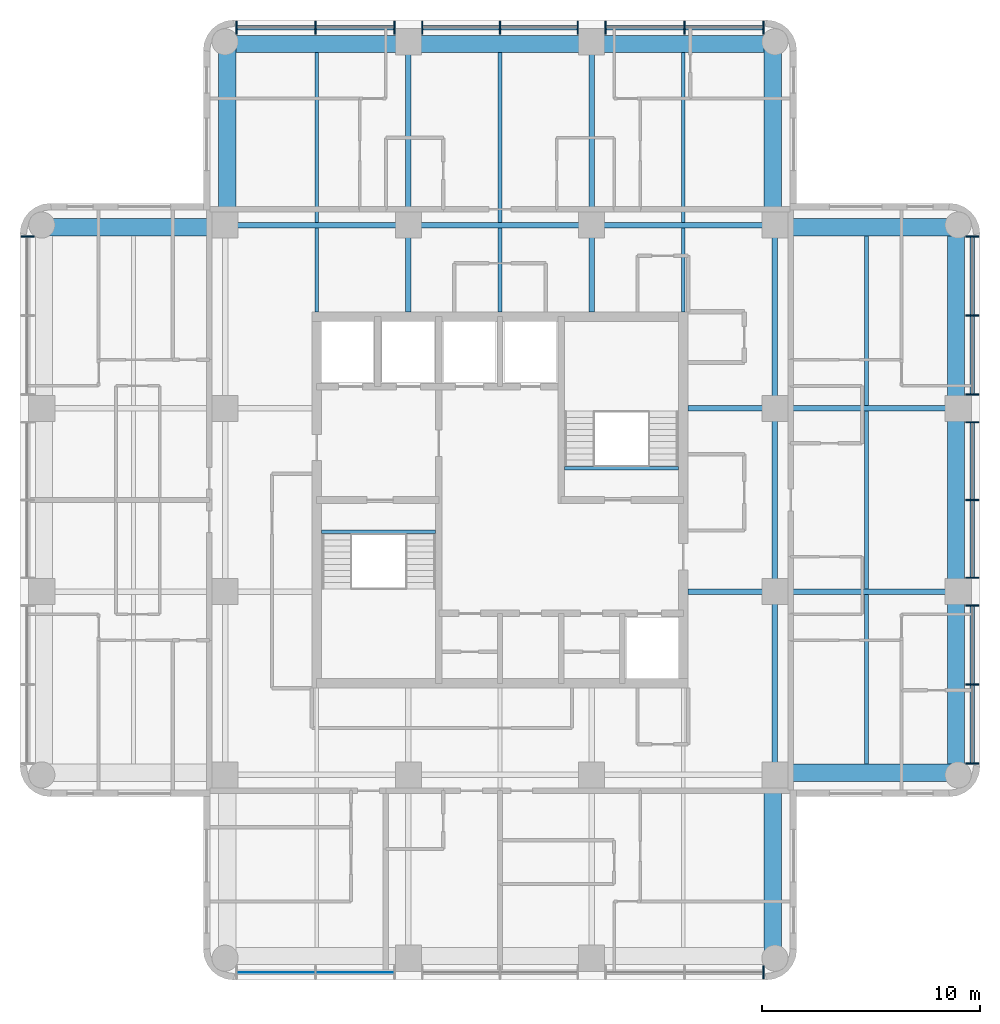
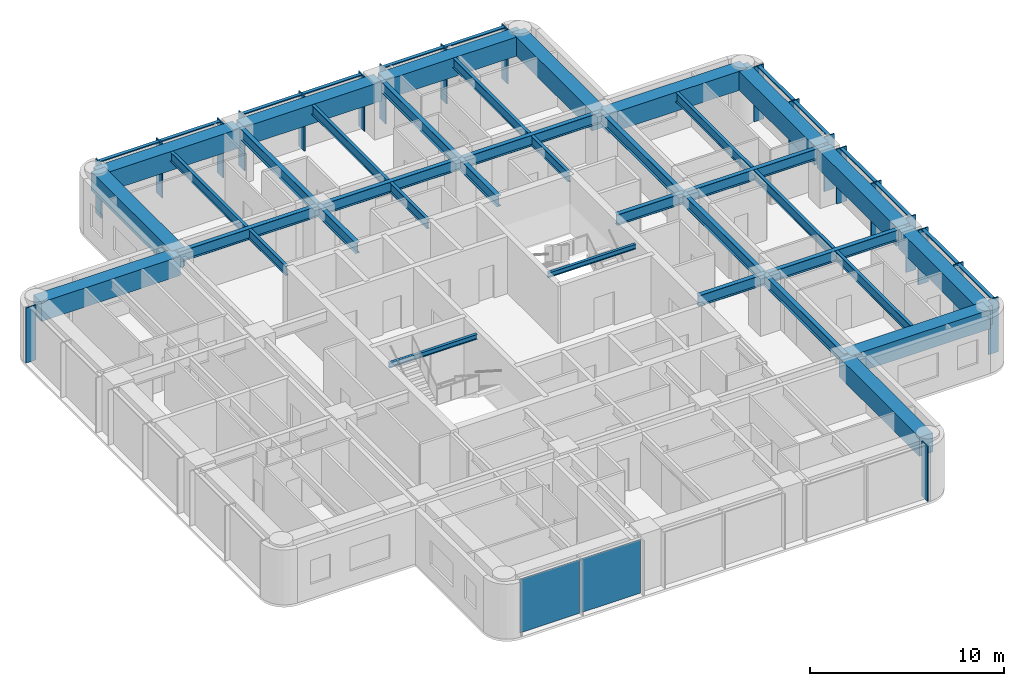
# One storey, part 2 of 10: 37 beams, 32 members, 2 plates, 4 elements without a shape of their own.
"""IFC4 building model written with IfcOpenShell, lengths in metres."""

from ifc_helpers import new_model, si_unit, direction, frame, origin, origin_2d, place, context, subcontext, project, spatial, rectangle, i_section, extrude, material, layer, layer_set, material_profile, profile_set, type_object, element, aggregate, save


model = new_model("IFC4")

# Units and contexts
model_context = context("Model", 3, precision=1e-05, world=origin(), true_north=direction((0.0, 1.0)))
body_context = subcontext(model_context, "Body", "Model", "MODEL_VIEW")
ifc_project = project(units=[si_unit("LENGTHUNIT", "METRE"), si_unit("AREAUNIT", "SQUARE_METRE"), si_unit("VOLUMEUNIT", "CUBIC_METRE"), si_unit("PLANEANGLEUNIT", "RADIAN"), si_unit("MASSUNIT", "GRAM", prefix="KILO")], contexts=[model_context])

# Site, building, storey
site_placement = place(None, origin())
site = spatial("IfcSite", under=ifc_project, at=site_placement, CompositionType="ELEMENT")
building_placement = place(site_placement, origin())
building = spatial("IfcBuilding", under=site, at=building_placement, Name="Torre Alcanfor", CompositionType="ELEMENT")
storey_placement = place(building_placement, frame((0.0, 0.0, 261.300048828125)))
storey = spatial("IfcBuildingStorey", under=building, at=storey_placement, Name="L68", CompositionType="ELEMENT", Elevation=261.300048828125)

# Curtain wall, member
ifc_material_1 = material(Name="Aluminium and glass", Category="aluminium")
curtain_wall_type = type_object("IfcCurtainWallType", Name="CW-A unitised apartment glazing with vertical FIN", PredefinedType="NOTDEFINED", material=ifc_material_1)
curtain_wall_1_placement = place(storey_placement, origin())
curtain_wall_1 = element("IfcCurtainWall", 1, at=curtain_wall_1_placement, inside=storey, type_object=curtain_wall_type, Name="Curtain wall CW-A L68 2", PredefinedType="NOTDEFINED")
ifc_material_2 = material(Name="Bronze anodised aluminium", Category="aluminium")
ifc_material_profile_1 = material_profile(ifc_material_2, rectangle(XDim=0.60009765625, YDim=0.06494140625, at=origin_2d()), Name="CW-A mullion 65x600")
ifc_profile_set_1 = profile_set([ifc_material_profile_1], Name="Bronze anodised aluminium")
member_type_1 = type_object("IfcMemberType", Name="CW-A mullion with vertical FIN 65x600", PredefinedType="MULLION", material=ifc_profile_set_1)
member_1_placement = place(storey_placement, frame((7.75, 41.47412109375, 0.0), z_axis=(0.0, 0.0, 1.0), x_axis=(1.0, 0.0, 0.0)))
member_1 = element("IfcMember", 2, at=member_1_placement, type_object=member_type_1, Name="CW-A mullion 1.1", PredefinedType="MULLION", context=body_context, shape_type="SweptSolid", body=[
    extrude(rectangle(XDim=0.60009765625, YDim=0.06494140625, at=origin_2d()), origin(), (0.0, 0.0, 1.0), 3.449951171875),
])
aggregate(curtain_wall_1, [member_1])

curtain_wall_2_placement = place(storey_placement, origin())
curtain_wall_2 = element("IfcCurtainWall", 3, at=curtain_wall_2_placement, inside=storey, type_object=curtain_wall_type, Name="Curtain wall CW-A L68 5", PredefinedType="NOTDEFINED")
member_2_placement = place(storey_placement, frame((41.47412109375, 7.75, 0.0), z_axis=(0.0, 0.0, 1.0), x_axis=(0.0, 1.0, 0.0)))
member_2 = element("IfcMember", 4, at=member_2_placement, type_object=member_type_1, Name="CW-A mullion 3.3", PredefinedType="MULLION", context=body_context, shape_type="SweptSolid", body=[
    extrude(rectangle(XDim=0.60009765625, YDim=0.06494140625, at=origin_2d()), origin(), (0.0, 0.0, 1.0), 3.449951171875),
])

# Curtain wall, members
curtain_wall_3_placement = place(storey_placement, origin())
curtain_wall_3 = element("IfcCurtainWall", 5, at=curtain_wall_3_placement, inside=storey, type_object=curtain_wall_type, Name="Curtain wall CW-A L68 8", PredefinedType="NOTDEFINED")
member_3_placement = place(storey_placement, frame((51.050048828125, 17.325927734375, 0.0), z_axis=(0.0, 0.0, 1.0), x_axis=(-1.0, 0.0, 0.0)))
member_3 = element("IfcMember", 6, at=member_3_placement, type_object=member_type_1, Name="CW-A mullion 1.1", PredefinedType="MULLION", context=body_context, shape_type="SweptSolid", body=[
    extrude(rectangle(XDim=0.60009765625, YDim=0.06494140625, at=origin_2d()), origin(), (0.0, 0.0, 1.0), 3.449951171875),
])
member_4_placement = place(storey_placement, frame((51.050048828125, 20.9443359375, 0.0), z_axis=(0.0, 0.0, 1.0), x_axis=(-1.0, 0.0, 0.0)))
member_4 = element("IfcMember", 7, at=member_4_placement, type_object=member_type_1, Name="CW-A mullion 1.2", PredefinedType="MULLION", context=body_context, shape_type="SweptSolid", body=[
    extrude(rectangle(XDim=0.60009765625, YDim=0.06494140625, at=origin_2d()), origin(), (0.0, 0.0, 1.0), 3.449951171875),
])
member_5_placement = place(storey_placement, frame((51.050048828125, 24.5625, 0.0), z_axis=(0.0, 0.0, 1.0), x_axis=(-1.0, 0.0, 0.0)))
member_5 = element("IfcMember", 8, at=member_5_placement, type_object=member_type_1, Name="CW-A mullion 1.3", PredefinedType="MULLION", context=body_context, shape_type="SweptSolid", body=[
    extrude(rectangle(XDim=0.60009765625, YDim=0.06494140625, at=origin_2d()), origin(), (0.0, 0.0, 1.0), 3.449951171875),
])
member_6_placement = place(storey_placement, frame((51.050048828125, 25.83740234375, 0.0), z_axis=(0.0, 0.0, 1.0), x_axis=(-1.0, 0.0, 0.0)))
member_6 = element("IfcMember", 9, at=member_6_placement, type_object=member_type_1, Name="CW-A mullion 2.1", PredefinedType="MULLION", context=body_context, shape_type="SweptSolid", body=[
    extrude(rectangle(XDim=0.60009765625, YDim=0.06494140625, at=origin_2d()), origin(), (0.0, 0.0, 1.0), 3.449951171875),
])
member_7_placement = place(storey_placement, frame((51.050048828125, 29.39990234375, 0.0), z_axis=(0.0, 0.0, 1.0), x_axis=(-1.0, 0.0, 0.0)))
member_7 = element("IfcMember", 10, at=member_7_placement, type_object=member_type_1, Name="CW-A mullion 2.2", PredefinedType="MULLION", context=body_context, shape_type="SweptSolid", body=[
    extrude(rectangle(XDim=0.60009765625, YDim=0.06494140625, at=origin_2d()), origin(), (0.0, 0.0, 1.0), 3.449951171875),
])
member_8_placement = place(storey_placement, frame((51.050048828125, 32.96240234375, 0.0), z_axis=(0.0, 0.0, 1.0), x_axis=(-1.0, 0.0, 0.0)))
member_8 = element("IfcMember", 11, at=member_8_placement, type_object=member_type_1, Name="CW-A mullion 2.3", PredefinedType="MULLION", context=body_context, shape_type="SweptSolid", body=[
    extrude(rectangle(XDim=0.60009765625, YDim=0.06494140625, at=origin_2d()), origin(), (0.0, 0.0, 1.0), 3.449951171875),
])
member_9_placement = place(storey_placement, frame((51.050048828125, 34.237548828125, 0.0), z_axis=(0.0, 0.0, 1.0), x_axis=(-1.0, 0.0, 0.0)))
member_9 = element("IfcMember", 12, at=member_9_placement, type_object=member_type_1, Name="CW-A mullion 3.1", PredefinedType="MULLION", context=body_context, shape_type="SweptSolid", body=[
    extrude(rectangle(XDim=0.60009765625, YDim=0.06494140625, at=origin_2d()), origin(), (0.0, 0.0, 1.0), 3.449951171875),
])
member_10_placement = place(storey_placement, frame((51.050048828125, 37.855712890625, 0.0), z_axis=(0.0, 0.0, 1.0), x_axis=(-1.0, 0.0, 0.0)))
member_10 = element("IfcMember", 13, at=member_10_placement, type_object=member_type_1, Name="CW-A mullion 3.2", PredefinedType="MULLION", context=body_context, shape_type="SweptSolid", body=[
    extrude(rectangle(XDim=0.60009765625, YDim=0.06494140625, at=origin_2d()), origin(), (0.0, 0.0, 1.0), 3.449951171875),
])
member_11_placement = place(storey_placement, frame((51.050048828125, 41.47412109375, 0.0), z_axis=(0.0, 0.0, 1.0), x_axis=(-1.0, 0.0, 0.0)))
member_11 = element("IfcMember", 14, at=member_11_placement, type_object=member_type_1, Name="CW-A mullion 3.3", PredefinedType="MULLION", context=body_context, shape_type="SweptSolid", body=[
    extrude(rectangle(XDim=0.60009765625, YDim=0.06494140625, at=origin_2d()), origin(), (0.0, 0.0, 1.0), 3.449951171875),
])

curtain_wall_4_placement = place(storey_placement, origin())
curtain_wall_4 = element("IfcCurtainWall", 15, at=curtain_wall_4_placement, inside=storey, type_object=curtain_wall_type, Name="Curtain wall CW-A L68 11", PredefinedType="NOTDEFINED")
member_12_placement = place(storey_placement, frame((41.47412109375, 51.050048828125, 0.0), z_axis=(0.0, 0.0, 1.0), x_axis=(0.0, -1.0, 0.0)))
member_12 = element("IfcMember", 16, at=member_12_placement, type_object=member_type_1, Name="CW-A mullion 1.1", PredefinedType="MULLION", context=body_context, shape_type="SweptSolid", body=[
    extrude(rectangle(XDim=0.60009765625, YDim=0.06494140625, at=origin_2d()), origin(), (0.0, 0.0, 1.0), 3.449951171875),
])
member_13_placement = place(storey_placement, frame((37.855712890625, 51.050048828125, 0.0), z_axis=(0.0, 0.0, 1.0), x_axis=(0.0, -1.0, 0.0)))
member_13 = element("IfcMember", 17, at=member_13_placement, type_object=member_type_1, Name="CW-A mullion 1.2", PredefinedType="MULLION", context=body_context, shape_type="SweptSolid", body=[
    extrude(rectangle(XDim=0.60009765625, YDim=0.06494140625, at=origin_2d()), origin(), (0.0, 0.0, 1.0), 3.449951171875),
])
member_14_placement = place(storey_placement, frame((34.237548828125, 51.050048828125, 0.0), z_axis=(0.0, 0.0, 1.0), x_axis=(0.0, -1.0, 0.0)))
member_14 = element("IfcMember", 18, at=member_14_placement, type_object=member_type_1, Name="CW-A mullion 1.3", PredefinedType="MULLION", context=body_context, shape_type="SweptSolid", body=[
    extrude(rectangle(XDim=0.60009765625, YDim=0.06494140625, at=origin_2d()), origin(), (0.0, 0.0, 1.0), 3.449951171875),
])
member_15_placement = place(storey_placement, frame((32.96240234375, 51.050048828125, 0.0), z_axis=(0.0, 0.0, 1.0), x_axis=(0.0, -1.0, 0.0)))
member_15 = element("IfcMember", 19, at=member_15_placement, type_object=member_type_1, Name="CW-A mullion 2.1", PredefinedType="MULLION", context=body_context, shape_type="SweptSolid", body=[
    extrude(rectangle(XDim=0.60009765625, YDim=0.06494140625, at=origin_2d()), origin(), (0.0, 0.0, 1.0), 3.449951171875),
])
member_16_placement = place(storey_placement, frame((29.39990234375, 51.050048828125, 0.0), z_axis=(0.0, 0.0, 1.0), x_axis=(0.0, -1.0, 0.0)))
member_16 = element("IfcMember", 20, at=member_16_placement, type_object=member_type_1, Name="CW-A mullion 2.2", PredefinedType="MULLION", context=body_context, shape_type="SweptSolid", body=[
    extrude(rectangle(XDim=0.60009765625, YDim=0.06494140625, at=origin_2d()), origin(), (0.0, 0.0, 1.0), 3.449951171875),
])
member_17_placement = place(storey_placement, frame((25.83740234375, 51.050048828125, 0.0), z_axis=(0.0, 0.0, 1.0), x_axis=(0.0, -1.0, 0.0)))
member_17 = element("IfcMember", 21, at=member_17_placement, type_object=member_type_1, Name="CW-A mullion 2.3", PredefinedType="MULLION", context=body_context, shape_type="SweptSolid", body=[
    extrude(rectangle(XDim=0.60009765625, YDim=0.06494140625, at=origin_2d()), origin(), (0.0, 0.0, 1.0), 3.449951171875),
])
member_18_placement = place(storey_placement, frame((24.5625, 51.050048828125, 0.0), z_axis=(0.0, 0.0, 1.0), x_axis=(0.0, -1.0, 0.0)))
member_18 = element("IfcMember", 22, at=member_18_placement, type_object=member_type_1, Name="CW-A mullion 3.1", PredefinedType="MULLION", context=body_context, shape_type="SweptSolid", body=[
    extrude(rectangle(XDim=0.60009765625, YDim=0.06494140625, at=origin_2d()), origin(), (0.0, 0.0, 1.0), 3.449951171875),
])
member_19_placement = place(storey_placement, frame((20.9443359375, 51.050048828125, 0.0), z_axis=(0.0, 0.0, 1.0), x_axis=(0.0, -1.0, 0.0)))
member_19 = element("IfcMember", 23, at=member_19_placement, type_object=member_type_1, Name="CW-A mullion 3.2", PredefinedType="MULLION", context=body_context, shape_type="SweptSolid", body=[
    extrude(rectangle(XDim=0.60009765625, YDim=0.06494140625, at=origin_2d()), origin(), (0.0, 0.0, 1.0), 3.449951171875),
])
member_20_placement = place(storey_placement, frame((17.325927734375, 51.050048828125, 0.0), z_axis=(0.0, 0.0, 1.0), x_axis=(0.0, -1.0, 0.0)))
member_20 = element("IfcMember", 24, at=member_20_placement, type_object=member_type_1, Name="CW-A mullion 3.3", PredefinedType="MULLION", context=body_context, shape_type="SweptSolid", body=[
    extrude(rectangle(XDim=0.60009765625, YDim=0.06494140625, at=origin_2d()), origin(), (0.0, 0.0, 1.0), 3.449951171875),
])

# Member
ifc_material_3 = material(Name="Extruded aluminium", Category="aluminium")
ifc_material_profile_2 = material_profile(ifc_material_3, rectangle(XDim=0.199951171875, YDim=0.06494140625, at=origin_2d()), Name="CW-A transom 200x65")
ifc_profile_set_2 = profile_set([ifc_material_profile_2], Name="Extruded aluminium")
member_type_2 = type_object("IfcMemberType", Name="CW-A transom 65x200", PredefinedType="USERDEFINED", material=ifc_profile_set_2)
member_21_placement = place(storey_placement, frame((51.050048828125, 17.3583984375, 3.41748046875), z_axis=(0.0, 1.0, 0.0), x_axis=(-1.0, 0.0, 0.0)))
member_21 = element("IfcMember", 25, at=member_21_placement, type_object=member_type_2, Name="CW-A transom 1.1.2", ObjectType="TRANSOM", PredefinedType="USERDEFINED", context=body_context, shape_type="SweptSolid", body=[
    extrude(rectangle(XDim=0.199951171875, YDim=0.06494140625, at=origin_2d()), origin(), (0.0, 0.0, 1.0), 3.553466796875),
])

member_22_placement = place(storey_placement, frame((51.050048828125, 20.976806640625, 3.41748046875), z_axis=(0.0, 1.0, 0.0), x_axis=(-1.0, 0.0, 0.0)))
member_22 = element("IfcMember", 26, at=member_22_placement, type_object=member_type_2, Name="CW-A transom 1.2.2", ObjectType="TRANSOM", PredefinedType="USERDEFINED", context=body_context, shape_type="SweptSolid", body=[
    extrude(rectangle(XDim=0.199951171875, YDim=0.06494140625, at=origin_2d()), origin(), (0.0, 0.0, 1.0), 3.55322265625),
])

member_23_placement = place(storey_placement, frame((51.050048828125, 25.8701171875, 3.41748046875), z_axis=(0.0, 1.0, 0.0), x_axis=(-1.0, 0.0, 0.0)))
member_23 = element("IfcMember", 27, at=member_23_placement, type_object=member_type_2, Name="CW-A transom 2.1.2", ObjectType="TRANSOM", PredefinedType="USERDEFINED", context=body_context, shape_type="SweptSolid", body=[
    extrude(rectangle(XDim=0.199951171875, YDim=0.06494140625, at=origin_2d()), origin(), (0.0, 0.0, 1.0), 3.497314453125),
])

member_24_placement = place(storey_placement, frame((51.050048828125, 29.4326171875, 3.41748046875), z_axis=(0.0, 1.0, 0.0), x_axis=(-1.0, 0.0, 0.0)))
member_24 = element("IfcMember", 28, at=member_24_placement, type_object=member_type_2, Name="CW-A transom 2.2.2", ObjectType="TRANSOM", PredefinedType="USERDEFINED", context=body_context, shape_type="SweptSolid", body=[
    extrude(rectangle(XDim=0.199951171875, YDim=0.06494140625, at=origin_2d()), origin(), (0.0, 0.0, 1.0), 3.497314453125),
])

member_25_placement = place(storey_placement, frame((51.050048828125, 34.27001953125, 3.41748046875), z_axis=(0.0, 1.0, 0.0), x_axis=(-1.0, 0.0, 0.0)))
member_25 = element("IfcMember", 29, at=member_25_placement, type_object=member_type_2, Name="CW-A transom 3.1.2", ObjectType="TRANSOM", PredefinedType="USERDEFINED", context=body_context, shape_type="SweptSolid", body=[
    extrude(rectangle(XDim=0.199951171875, YDim=0.06494140625, at=origin_2d()), origin(), (0.0, 0.0, 1.0), 3.55322265625),
])

member_26_placement = place(storey_placement, frame((51.050048828125, 37.88818359375, 3.41748046875), z_axis=(0.0, 1.0, 0.0), x_axis=(-1.0, 0.0, 0.0)))
member_26 = element("IfcMember", 30, at=member_26_placement, type_object=member_type_2, Name="CW-A transom 3.2.2", ObjectType="TRANSOM", PredefinedType="USERDEFINED", context=body_context, shape_type="SweptSolid", body=[
    extrude(rectangle(XDim=0.199951171875, YDim=0.06494140625, at=origin_2d()), origin(), (0.0, 0.0, 1.0), 3.55322265625),
])

aggregate(curtain_wall_3, [member_3, member_4, member_5, member_21, member_22, member_6, member_7, member_8, member_23, member_24, member_9, member_10, member_11, member_25, member_26])

member_27_placement = place(storey_placement, frame((41.44140625, 51.050048828125, 3.41748046875), z_axis=(-1.0, 0.0, 0.0), x_axis=(0.0, -1.0, 0.0)))
member_27 = element("IfcMember", 31, at=member_27_placement, type_object=member_type_2, Name="CW-A transom 1.1.2", ObjectType="TRANSOM", PredefinedType="USERDEFINED", context=body_context, shape_type="SweptSolid", body=[
    extrude(rectangle(XDim=0.199951171875, YDim=0.06494140625, at=origin_2d()), origin(), (0.0, 0.0, 1.0), 3.55322265625),
])

member_28_placement = place(storey_placement, frame((37.8232421875, 51.050048828125, 3.41748046875), z_axis=(-1.0, 0.0, 0.0), x_axis=(0.0, -1.0, 0.0)))
member_28 = element("IfcMember", 32, at=member_28_placement, type_object=member_type_2, Name="CW-A transom 1.2.2", ObjectType="TRANSOM", PredefinedType="USERDEFINED", context=body_context, shape_type="SweptSolid", body=[
    extrude(rectangle(XDim=0.199951171875, YDim=0.06494140625, at=origin_2d()), origin(), (0.0, 0.0, 1.0), 3.55322265625),
])

member_29_placement = place(storey_placement, frame((32.929931640625, 51.050048828125, 3.41748046875), z_axis=(-1.0, 0.0, 0.0), x_axis=(0.0, -1.0, 0.0)))
member_29 = element("IfcMember", 33, at=member_29_placement, type_object=member_type_2, Name="CW-A transom 2.1.2", ObjectType="TRANSOM", PredefinedType="USERDEFINED", context=body_context, shape_type="SweptSolid", body=[
    extrude(rectangle(XDim=0.199951171875, YDim=0.06494140625, at=origin_2d()), origin(), (0.0, 0.0, 1.0), 3.497314453125),
])

member_30_placement = place(storey_placement, frame((29.367431640625, 51.050048828125, 3.41748046875), z_axis=(-1.0, 0.0, 0.0), x_axis=(0.0, -1.0, 0.0)))
member_30 = element("IfcMember", 34, at=member_30_placement, type_object=member_type_2, Name="CW-A transom 2.2.2", ObjectType="TRANSOM", PredefinedType="USERDEFINED", context=body_context, shape_type="SweptSolid", body=[
    extrude(rectangle(XDim=0.199951171875, YDim=0.06494140625, at=origin_2d()), origin(), (0.0, 0.0, 1.0), 3.497314453125),
])

member_31_placement = place(storey_placement, frame((24.530029296875, 51.050048828125, 3.41748046875), z_axis=(-1.0, 0.0, 0.0), x_axis=(0.0, -1.0, 0.0)))
member_31 = element("IfcMember", 35, at=member_31_placement, type_object=member_type_2, Name="CW-A transom 3.1.2", ObjectType="TRANSOM", PredefinedType="USERDEFINED", context=body_context, shape_type="SweptSolid", body=[
    extrude(rectangle(XDim=0.199951171875, YDim=0.06494140625, at=origin_2d()), origin(), (0.0, 0.0, 1.0), 3.55322265625),
])

member_32_placement = place(storey_placement, frame((20.911865234375, 51.050048828125, 3.41748046875), z_axis=(-1.0, 0.0, 0.0), x_axis=(0.0, -1.0, 0.0)))
member_32 = element("IfcMember", 36, at=member_32_placement, type_object=member_type_2, Name="CW-A transom 3.2.2", ObjectType="TRANSOM", PredefinedType="USERDEFINED", context=body_context, shape_type="SweptSolid", body=[
    extrude(rectangle(XDim=0.199951171875, YDim=0.06494140625, at=origin_2d()), origin(), (0.0, 0.0, 1.0), 3.553466796875),
])

aggregate(curtain_wall_4, [member_12, member_13, member_14, member_27, member_28, member_15, member_16, member_17, member_29, member_30, member_18, member_19, member_20, member_31, member_32])

# Beams
ifc_material_4 = material(Name="Steel ASTM A992 Grade 50", Category="steel")
ifc_material_profile_3 = material_profile(ifc_material_4, i_section(OverallWidth=0.25390625, OverallDepth=0.683349609375, WebThickness=0.012451171875, FlangeThickness=0.01904296875, at=origin_2d()), Name="W27x94")
ifc_profile_set_3 = profile_set([ifc_material_profile_3], Name="Steel ASTM A992 Grade 50")
beam_type_1 = type_object("IfcBeamType", Name="Girder W27x94", PredefinedType="BEAM", material=ifc_profile_set_3)
for number, where, z_axis, x_axis, name in (
    (37, (42.0, 25.199951171875, 3.1083984375), (1.0, 0.0, 0.0), (0.0, 1.0, 0.0), "Beam 6F-7F under L69"),
    (38, (42.0, 33.60009765625, 3.1083984375), (1.0, 0.0, 0.0), (0.0, 1.0, 0.0), "Beam 6G-7G under L69"),
    (39, (16.800048828125, 42.0, 3.1083984375), (1.0, 0.0, 0.0), (0.0, 1.0, 0.0), "Beam 3H-4H under L69"),
):
    element("IfcBeam", number, at=place(storey_placement, frame(where, z_axis=z_axis, x_axis=x_axis)), inside=storey, type_object=beam_type_1, Name=name, PredefinedType="BEAM", context=body_context, shape_type="SweptSolid", body=[
        extrude(i_section(OverallWidth=0.25390625, OverallDepth=0.683349609375, WebThickness=0.012451171875, FlangeThickness=0.01904296875, at=origin_2d()), origin(), (0.0, 0.0, 1.0), 8.39990234375),
    ])
beam_1_placement = place(storey_placement, frame((25.199951171875, 42.0, 3.1083984375), z_axis=(1.0, 0.0, 0.0), x_axis=(0.0, 1.0, 0.0)))
element("IfcBeam", 40, at=beam_1_placement, inside=storey, type_object=beam_type_1, Name="Beam 4H-5H under L69", PredefinedType="BEAM", context=body_context, shape_type="SweptSolid", body=[
    extrude(i_section(OverallWidth=0.25390625, OverallDepth=0.683349609375, WebThickness=0.012451171875, FlangeThickness=0.01904296875, at=origin_2d()), origin(), (0.0, 0.0, 1.0), 8.400146484375),
])
for number, where, z_axis, x_axis, name in (
    (41, (33.60009765625, 42.0, 3.1083984375), (1.0, 0.0, 0.0), (0.0, 1.0, 0.0), "Beam 5H-6H under L69"),
    (42, (25.199951171875, 42.0, 3.1083984375), (0.0, 1.0, 0.0), (-1.0, 0.0, 0.0), "Beam 4H-4J under L69"),
    (43, (33.60009765625, 42.0, 3.1083984375), (0.0, 1.0, 0.0), (-1.0, 0.0, 0.0), "Beam 5H-5J under L69"),
    (44, (42.0, 16.800048828125, 3.1083984375), (0.0, 1.0, 0.0), (-1.0, 0.0, 0.0), "Beam 6E-6F under L69"),
):
    element("IfcBeam", number, at=place(storey_placement, frame(where, z_axis=z_axis, x_axis=x_axis)), inside=storey, type_object=beam_type_1, Name=name, PredefinedType="BEAM", context=body_context, shape_type="SweptSolid", body=[
        extrude(i_section(OverallWidth=0.25390625, OverallDepth=0.683349609375, WebThickness=0.012451171875, FlangeThickness=0.01904296875, at=origin_2d()), origin(), (0.0, 0.0, 1.0), 8.39990234375),
    ])
beam_2_placement = place(storey_placement, frame((42.0, 25.199951171875, 3.1083984375), z_axis=(0.0, 1.0, 0.0), x_axis=(-1.0, 0.0, 0.0)))
element("IfcBeam", 45, at=beam_2_placement, inside=storey, type_object=beam_type_1, Name="Beam 6F-6G under L69", PredefinedType="BEAM", context=body_context, shape_type="SweptSolid", body=[
    extrude(i_section(OverallWidth=0.25390625, OverallDepth=0.683349609375, WebThickness=0.012451171875, FlangeThickness=0.01904296875, at=origin_2d()), origin(), (0.0, 0.0, 1.0), 8.400146484375),
])
beam_3_placement = place(storey_placement, frame((42.0, 33.60009765625, 3.1083984375), z_axis=(0.0, 1.0, 0.0), x_axis=(-1.0, 0.0, 0.0)))
element("IfcBeam", 46, at=beam_3_placement, inside=storey, type_object=beam_type_1, Name="Beam 6G-6H under L69", PredefinedType="BEAM", context=body_context, shape_type="SweptSolid", body=[
    extrude(i_section(OverallWidth=0.25390625, OverallDepth=0.683349609375, WebThickness=0.012451171875, FlangeThickness=0.01904296875, at=origin_2d()), origin(), (0.0, 0.0, 1.0), 8.39990234375),
])
ifc_material_5 = material(Name="Steel ASTM A992 Grade 50", Category="steel")
ifc_material_profile_4 = material_profile(ifc_material_5, i_section(OverallWidth=0.25390625, OverallDepth=0.683349609375, WebThickness=0.012451171875, FlangeThickness=0.01904296875, at=origin_2d()), Name="W27x94")
ifc_profile_set_4 = profile_set([ifc_material_profile_4], Name="Steel ASTM A992 Grade 50")
beam_type_2 = type_object("IfcBeamType", Name="Girder, part bay W27x94", PredefinedType="BEAM", material=ifc_profile_set_4)
for number, where, z_axis, x_axis, name in (
    (47, (25.199951171875, 42.0, 3.1083984375), (0.0, -1.0, 0.0), (1.0, 0.0, 0.0), "Beam 4H-438_025 under L69"),
    (48, (33.60009765625, 42.0, 3.1083984375), (0.0, -1.0, 0.0), (1.0, 0.0, 0.0), "Beam 5H-538_025 under L69"),
    (49, (42.0, 25.199951171875, 3.1083984375), (-1.0, 0.0, 0.0), (0.0, -1.0, 0.0), "Beam 6F-38_025F under L69"),
    (50, (42.0, 33.60009765625, 3.1083984375), (-1.0, 0.0, 0.0), (0.0, -1.0, 0.0), "Beam 6G-38_025G under L69"),
):
    element("IfcBeam", number, at=place(storey_placement, frame(where, z_axis=z_axis, x_axis=x_axis)), inside=storey, type_object=beam_type_2, Name=name, PredefinedType="BEAM", context=body_context, shape_type="SweptSolid", body=[
        extrude(i_section(OverallWidth=0.25390625, OverallDepth=0.683349609375, WebThickness=0.012451171875, FlangeThickness=0.01904296875, at=origin_2d()), origin(), (0.0, 0.0, 1.0), 3.97509765625),
    ])
ifc_material_6 = material(Name="Concrete f'c 70 MPa", Category="concrete")
ifc_material_profile_5 = material_profile(ifc_material_6, rectangle(XDim=0.800048828125, YDim=1.199951171875, at=origin_2d()), Name="800x1200")
ifc_profile_set_5 = profile_set([ifc_material_profile_5], Name="Concrete f'c 70 MPa")
beam_type_3 = type_object("IfcBeamType", Name="RC perimeter beam 800x1200", PredefinedType="BEAM", material=ifc_profile_set_5)
beam_4_placement = place(storey_placement, frame((42.126953125, 16.89990234375, 2.849853515625), z_axis=(1.0, 0.0, 0.0), x_axis=(0.0, 1.0, 0.0)))
element("IfcBeam", 51, at=beam_4_placement, inside=storey, type_object=beam_type_3, Name="Beam 6E-7E under L69", PredefinedType="BEAM", context=body_context, shape_type="SweptSolid", body=[
    extrude(rectangle(XDim=0.800048828125, YDim=1.199951171875, at=origin_2d()), origin(), (0.0, 0.0, 1.0), 8.27294921875),
])
beam_5_placement = place(storey_placement, frame((8.39990234375, 41.89990234375, 2.849853515625), z_axis=(1.0, 0.0, 0.0), x_axis=(0.0, 1.0, 0.0)))
element("IfcBeam", 52, at=beam_5_placement, inside=storey, type_object=beam_type_3, Name="Beam 2H-3H under L69", PredefinedType="BEAM", context=body_context, shape_type="SweptSolid", body=[
    extrude(rectangle(XDim=0.800048828125, YDim=1.199951171875, at=origin_2d()), origin(), (0.0, 0.0, 1.0), 8.273193359375),
])
for number, where, z_axis, x_axis, name in (
    (53, (42.126953125, 41.89990234375, 2.849853515625), (1.0, 0.0, 0.0), (0.0, 1.0, 0.0), "Beam 6H-7H under L69"),
    (54, (16.800048828125, 50.300048828125, 2.849853515625), (1.0, 0.0, 0.0), (0.0, 1.0, 0.0), "Beam 3J-4J under L69"),
):
    element("IfcBeam", number, at=place(storey_placement, frame(where, z_axis=z_axis, x_axis=x_axis)), inside=storey, type_object=beam_type_3, Name=name, PredefinedType="BEAM", context=body_context, shape_type="SweptSolid", body=[
        extrude(rectangle(XDim=0.800048828125, YDim=1.199951171875, at=origin_2d()), origin(), (0.0, 0.0, 1.0), 8.27294921875),
    ])
beam_6_placement = place(storey_placement, frame((25.326904296875, 50.300048828125, 2.849853515625), z_axis=(1.0, 0.0, 0.0), x_axis=(0.0, 1.0, 0.0)))
element("IfcBeam", 55, at=beam_6_placement, inside=storey, type_object=beam_type_3, Name="Beam 4J-5J under L69", PredefinedType="BEAM", context=body_context, shape_type="SweptSolid", body=[
    extrude(rectangle(XDim=0.800048828125, YDim=1.199951171875, at=origin_2d()), origin(), (0.0, 0.0, 1.0), 8.14599609375),
])
for number, where, z_axis, x_axis, name in (
    (56, (33.72705078125, 50.300048828125, 2.849853515625), (1.0, 0.0, 0.0), (0.0, 1.0, 0.0), "Beam 5J-6J under L69"),
    (57, (16.89990234375, 42.126953125, 2.849853515625), (0.0, 1.0, 0.0), (-1.0, 0.0, 0.0), "Beam 3H-3J under L69"),
):
    element("IfcBeam", number, at=place(storey_placement, frame(where, z_axis=z_axis, x_axis=x_axis)), inside=storey, type_object=beam_type_3, Name=name, PredefinedType="BEAM", context=body_context, shape_type="SweptSolid", body=[
        extrude(rectangle(XDim=0.800048828125, YDim=1.199951171875, at=origin_2d()), origin(), (0.0, 0.0, 1.0), 8.27294921875),
    ])
beam_7_placement = place(storey_placement, frame((41.89990234375, 8.39990234375, 2.849853515625), z_axis=(0.0, 1.0, 0.0), x_axis=(-1.0, 0.0, 0.0)))
element("IfcBeam", 58, at=beam_7_placement, inside=storey, type_object=beam_type_3, Name="Beam 6D-6E under L69", PredefinedType="BEAM", context=body_context, shape_type="SweptSolid", body=[
    extrude(rectangle(XDim=0.800048828125, YDim=1.199951171875, at=origin_2d()), origin(), (0.0, 0.0, 1.0), 8.273193359375),
])
for number, where, z_axis, x_axis, name in (
    (59, (41.89990234375, 42.126953125, 2.849853515625), (0.0, 1.0, 0.0), (-1.0, 0.0, 0.0), "Beam 6H-6J under L69"),
    (60, (50.300048828125, 16.800048828125, 2.849853515625), (0.0, 1.0, 0.0), (-1.0, 0.0, 0.0), "Beam 7E-7F under L69"),
):
    element("IfcBeam", number, at=place(storey_placement, frame(where, z_axis=z_axis, x_axis=x_axis)), inside=storey, type_object=beam_type_3, Name=name, PredefinedType="BEAM", context=body_context, shape_type="SweptSolid", body=[
        extrude(rectangle(XDim=0.800048828125, YDim=1.199951171875, at=origin_2d()), origin(), (0.0, 0.0, 1.0), 8.27294921875),
    ])
beam_8_placement = place(storey_placement, frame((50.300048828125, 25.326904296875, 2.849853515625), z_axis=(0.0, 1.0, 0.0), x_axis=(-1.0, 0.0, 0.0)))
element("IfcBeam", 61, at=beam_8_placement, inside=storey, type_object=beam_type_3, Name="Beam 7F-7G under L69", PredefinedType="BEAM", context=body_context, shape_type="SweptSolid", body=[
    extrude(rectangle(XDim=0.800048828125, YDim=1.199951171875, at=origin_2d()), origin(), (0.0, 0.0, 1.0), 8.14599609375),
])
beam_9_placement = place(storey_placement, frame((50.300048828125, 33.72705078125, 2.849853515625), z_axis=(0.0, 1.0, 0.0), x_axis=(-1.0, 0.0, 0.0)))
element("IfcBeam", 62, at=beam_9_placement, inside=storey, type_object=beam_type_3, Name="Beam 7G-7H under L69", PredefinedType="BEAM", context=body_context, shape_type="SweptSolid", body=[
    extrude(rectangle(XDim=0.800048828125, YDim=1.199951171875, at=origin_2d()), origin(), (0.0, 0.0, 1.0), 8.27294921875),
])
ifc_material_7 = material(Name="Steel ASTM A992 Grade 50", Category="steel")
ifc_material_profile_6 = material_profile(ifc_material_7, i_section(OverallWidth=0.1787109375, OverallDepth=0.60205078125, WebThickness=0.010986328125, FlangeThickness=0.014892578125, at=origin_2d()), Name="W24x62")
ifc_profile_set_6 = profile_set([ifc_material_profile_6], Name="Steel ASTM A992 Grade 50")
beam_type_4 = type_object("IfcBeamType", Name="Secondary beam W24x62", PredefinedType="BEAM", material=ifc_profile_set_6)
for number, where, z_axis, x_axis, name in (
    (63, (21.0, 42.126953125, 3.14892578125), (0.0, 1.0, 0.0), (-1.0, 0.0, 0.0), "Beam 21H-21J under L69"),
    (64, (29.39990234375, 42.126953125, 3.14892578125), (0.0, 1.0, 0.0), (-1.0, 0.0, 0.0), "Beam 29_4H-29_4J under L69"),
    (65, (37.800048828125, 42.126953125, 3.14892578125), (0.0, 1.0, 0.0), (-1.0, 0.0, 0.0), "Beam 37_8H-37_8J under L69"),
    (66, (46.199951171875, 17.300048828125, 3.14892578125), (0.0, 1.0, 0.0), (-1.0, 0.0, 0.0), "Beam 46_2E-46_2F under L69"),
):
    element("IfcBeam", number, at=place(storey_placement, frame(where, z_axis=z_axis, x_axis=x_axis)), inside=storey, type_object=beam_type_4, Name=name, PredefinedType="BEAM", context=body_context, shape_type="SweptSolid", body=[
        extrude(i_section(OverallWidth=0.1787109375, OverallDepth=0.60205078125, WebThickness=0.010986328125, FlangeThickness=0.014892578125, at=origin_2d()), origin(), (0.0, 0.0, 1.0), 7.77294921875),
    ])
beam_10_placement = place(storey_placement, frame((46.199951171875, 25.326904296875, 3.14892578125), z_axis=(0.0, 1.0, 0.0), x_axis=(-1.0, 0.0, 0.0)))
element("IfcBeam", 67, at=beam_10_placement, inside=storey, type_object=beam_type_4, Name="Beam 46_2F-46_2G under L69", PredefinedType="BEAM", context=body_context, shape_type="SweptSolid", body=[
    extrude(i_section(OverallWidth=0.1787109375, OverallDepth=0.60205078125, WebThickness=0.010986328125, FlangeThickness=0.014892578125, at=origin_2d()), origin(), (0.0, 0.0, 1.0), 8.14599609375),
])
beam_11_placement = place(storey_placement, frame((46.199951171875, 33.72705078125, 3.14892578125), z_axis=(0.0, 1.0, 0.0), x_axis=(-1.0, 0.0, 0.0)))
element("IfcBeam", 68, at=beam_11_placement, inside=storey, type_object=beam_type_4, Name="Beam 46_2G-46_2H under L69", PredefinedType="BEAM", context=body_context, shape_type="SweptSolid", body=[
    extrude(i_section(OverallWidth=0.1787109375, OverallDepth=0.60205078125, WebThickness=0.010986328125, FlangeThickness=0.014892578125, at=origin_2d()), origin(), (0.0, 0.0, 1.0), 7.77294921875),
])
ifc_material_8 = material(Name="Steel ASTM A992 Grade 50", Category="steel")
ifc_material_profile_7 = material_profile(ifc_material_8, i_section(OverallWidth=0.1787109375, OverallDepth=0.60205078125, WebThickness=0.010986328125, FlangeThickness=0.014892578125, at=origin_2d()), Name="W24x62")
ifc_profile_set_7 = profile_set([ifc_material_profile_7], Name="Steel ASTM A992 Grade 50")
beam_type_5 = type_object("IfcBeamType", Name="Secondary beam, part bay W24x62", PredefinedType="BEAM", material=ifc_profile_set_7)
for number, where, z_axis, x_axis, name in (
    (69, (21.0, 38.02490234375, 3.14892578125), (0.0, 1.0, 0.0), (-1.0, 0.0, 0.0), "Beam 2138_025-21H under L69"),
    (70, (29.39990234375, 38.02490234375, 3.14892578125), (0.0, 1.0, 0.0), (-1.0, 0.0, 0.0), "Beam 29_438_025-29_4H under L69"),
    (71, (37.800048828125, 38.02490234375, 3.14892578125), (0.0, 1.0, 0.0), (-1.0, 0.0, 0.0), "Beam 37_838_025-37_8H under L69"),
):
    element("IfcBeam", number, at=place(storey_placement, frame(where, z_axis=z_axis, x_axis=x_axis)), inside=storey, type_object=beam_type_5, Name=name, PredefinedType="BEAM", context=body_context, shape_type="SweptSolid", body=[
        extrude(i_section(OverallWidth=0.1787109375, OverallDepth=0.60205078125, WebThickness=0.010986328125, FlangeThickness=0.014892578125, at=origin_2d()), origin(), (0.0, 0.0, 1.0), 3.84814453125),
    ])
ifc_material_9 = material(Name="Steel ASTM A992 Grade 50", Category="steel")
ifc_material_profile_8 = material_profile(ifc_material_9, i_section(OverallWidth=0.164794921875, OverallDepth=0.309814453125, WebThickness=0.005859375, FlangeThickness=0.009765625, at=origin_2d()), Name="W12x26")
ifc_profile_set_8 = profile_set([ifc_material_profile_8], Name="Steel ASTM A992 Grade 50")
beam_type_6 = type_object("IfcBeamType", Name="Stair landing beam W12x26", PredefinedType="BEAM", material=ifc_profile_set_8)
for number, where, z_axis, x_axis, name in (
    (72, (21.22509765625, 27.9375, 3.2451171875), (1.0, 0.0, 0.0), (0.0, 1.0, 0.0), "Landing trimmer S1 L69"),
    (73, (32.35009765625, 30.862548828125, 3.2451171875), (1.0, 0.0, 0.0), (0.0, 1.0, 0.0), "Landing trimmer S2 L69"),
):
    element("IfcBeam", number, at=place(storey_placement, frame(where, z_axis=z_axis, x_axis=x_axis)), inside=storey, type_object=beam_type_6, Name=name, PredefinedType="BEAM", context=body_context, shape_type="SweptSolid", body=[
        extrude(i_section(OverallWidth=0.164794921875, OverallDepth=0.309814453125, WebThickness=0.005859375, FlangeThickness=0.009765625, at=origin_2d()), origin(), (0.0, 0.0, 1.0), 5.224853515625),
    ])

# Plate
ifc_material_10 = material(Name="Glass", Category="glass")
ifc_layer = layer(ifc_material_10, 0.028076171875)
ifc_layer_set = layer_set([ifc_layer], Name="CW-A clear double glazed unit")
plate_type = type_object("IfcPlateType", Name="CW-A clear double glazed unit", PredefinedType="CURTAIN_PANEL", material=ifc_layer_set)
plate_1_placement = place(storey_placement, frame((19.135009765625, 7.75, 0.0), z_axis=(0.0, 0.0, 1.0), x_axis=(1.0, 0.0, 0.0)))
plate_1 = element("IfcPlate", 74, at=plate_1_placement, type_object=plate_type, Name="CW-A panel 1.1.1", PredefinedType="CURTAIN_PANEL", context=body_context, shape_type="SweptSolid", body=[
    extrude(rectangle(XDim=3.55322265625, YDim=0.028076171875, at=origin_2d()), origin(), (0.0, 0.0, 1.0), 3.385009765625),
])

plate_2_placement = place(storey_placement, frame((22.75341796875, 7.75, 0.0), z_axis=(0.0, 0.0, 1.0), x_axis=(1.0, 0.0, 0.0)))
plate_2 = element("IfcPlate", 75, at=plate_2_placement, type_object=plate_type, Name="CW-A panel 1.2.1", PredefinedType="CURTAIN_PANEL", context=body_context, shape_type="SweptSolid", body=[
    extrude(rectangle(XDim=3.55322265625, YDim=0.028076171875, at=origin_2d()), origin(), (0.0, 0.0, 1.0), 3.385009765625),
])

aggregate(curtain_wall_2, [plate_1, plate_2, member_2])

save(model, "model.ifc")
